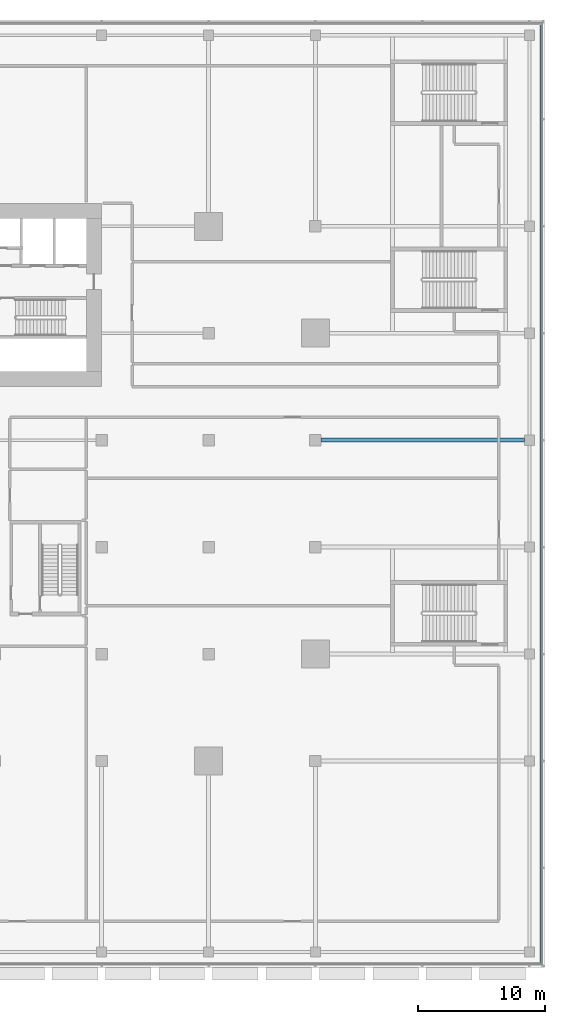
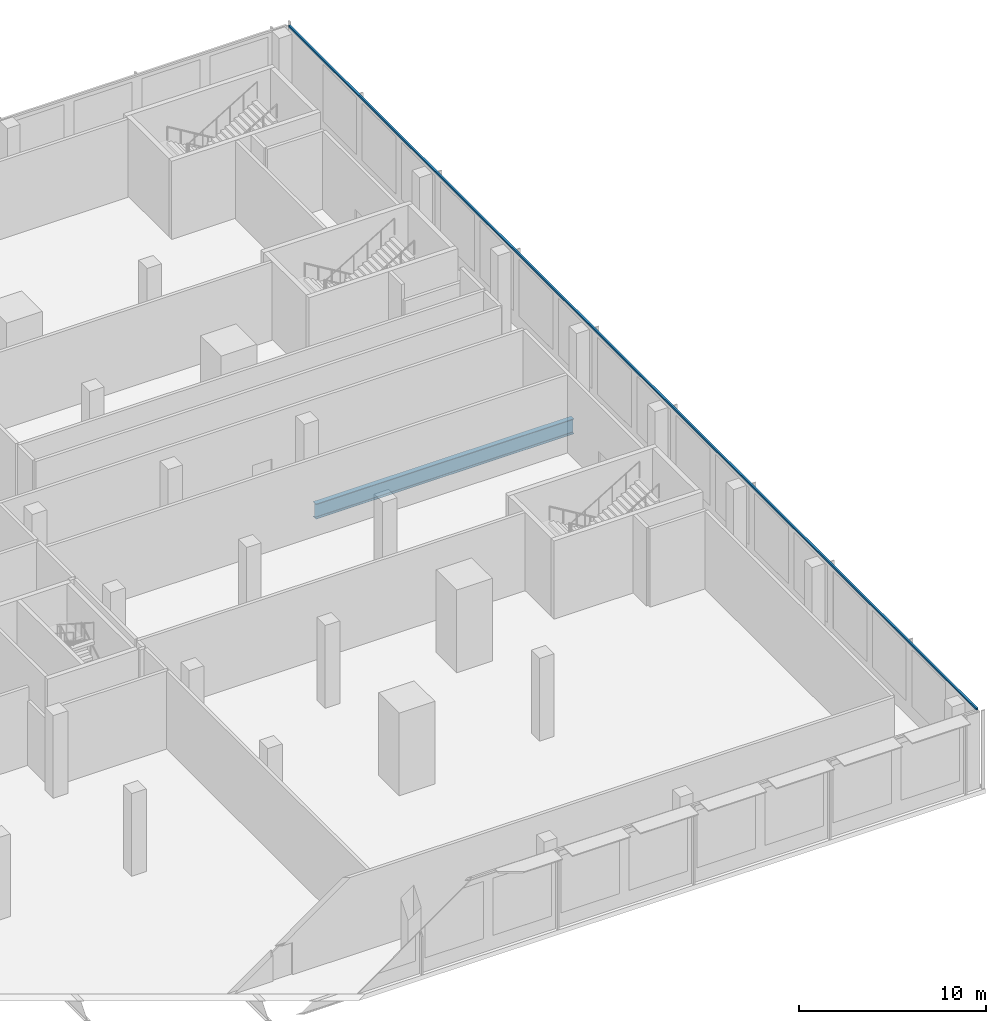
# One storey, part 15 of 39: 1 beam, 1 member, 1 element without a shape of its own.
"""IFC4 building model written with IfcOpenShell, lengths in metres."""

from ifc_helpers import new_model, si_unit, direction, frame, origin, origin_2d, place, context, subcontext, project, spatial, rectangle, i_section, extrude, material, material_profile, profile_set, type_object, element, aggregate, save


model = new_model("IFC4")

# Units and contexts
model_context = context("Model", 3, precision=1e-05, world=origin(), true_north=direction((0.0, 1.0)))
body_context = subcontext(model_context, "Body", "Model", "MODEL_VIEW")
ifc_project = project(units=[si_unit("LENGTHUNIT", "METRE"), si_unit("AREAUNIT", "SQUARE_METRE"), si_unit("VOLUMEUNIT", "CUBIC_METRE"), si_unit("PLANEANGLEUNIT", "RADIAN"), si_unit("MASSUNIT", "GRAM", prefix="KILO")], contexts=[model_context])

# Site, building, storey
site_placement = place(None, origin())
site = spatial("IfcSite", under=ifc_project, at=site_placement, CompositionType="ELEMENT")
building_placement = place(site_placement, origin())
building = spatial("IfcBuilding", under=site, at=building_placement, Name="Saffron Gate Tower", CompositionType="ELEMENT")
storey_placement = place(building_placement, frame((0.0, 0.0, 9.0)))
storey = spatial("IfcBuildingStorey", under=building, at=storey_placement, Name="L01", CompositionType="ELEMENT", Elevation=9.0)

# Beam
ifc_material_1 = material(Name="Structural steel S355", Category="steel")
ifc_material_profile_1 = material_profile(ifc_material_1, i_section(OverallWidth=0.300048828125, OverallDepth=0.989990234375, WebThickness=0.0166015625, FlangeThickness=0.031005859375, FilletRadius=0.030029296875, at=origin_2d()))
ifc_profile_set_1 = profile_set([ifc_material_profile_1], Name="Structural steel S355")
beam_type = type_object("IfcBeamType", Name="B21 HEA 1000", PredefinedType="BEAM", material=ifc_profile_set_1)
beam_placement = place(storey_placement, frame((141.800048828125, 57.0, -0.794921875), z_axis=(-1.0, 0.0, 0.0), x_axis=(0.0, -1.0, 0.0)))
element("IfcBeam", 1, at=beam_placement, inside=storey, type_object=beam_type, Name="B21 PODIUM RING GIRDER", PredefinedType="BEAM", context=body_context, shape_type="SweptSolid", body=[
    extrude(i_section(OverallWidth=0.300048828125, OverallDepth=0.989990234375, WebThickness=0.0166015625, FlangeThickness=0.031005859375, FilletRadius=0.030029296875, at=origin_2d()), origin(), (0.0, 0.0, 1.0), 15.949951171875),
])

# Curtain wall, member
ifc_material_2 = material(Name="Aluminium, bronze anodised", Category="aluminium")
curtain_wall_type = type_object("IfcCurtainWallType", Name="CWS5 curtain wall podium ring base", PredefinedType="NOTDEFINED", material=ifc_material_2)
curtain_wall_placement = place(storey_placement, origin())
curtain_wall = element("IfcCurtainWall", 2, at=curtain_wall_placement, inside=storey, type_object=curtain_wall_type, Name="CWS5 run 2", PredefinedType="NOTDEFINED")
ifc_material_profile_2 = material_profile(ifc_material_2, rectangle(XDim=0.1201171875, YDim=0.1201171875, at=origin_2d()))
ifc_profile_set_2 = profile_set([ifc_material_profile_2], Name="Aluminium, bronze anodised")
member_type = type_object("IfcMemberType", Name="CWS5 head transom", PredefinedType="USERDEFINED", material=ifc_profile_set_2)
member_placement = place(storey_placement, frame((143.112060546875, 16.008056640625, 5.0400390625), z_axis=(0.0, 1.0, 0.0), x_axis=(-1.0, 0.0, 0.0)))
member = element("IfcMember", 3, at=member_placement, type_object=member_type, Name="CWS5 head transom", ObjectType="TRANSOM", PredefinedType="USERDEFINED", context=body_context, shape_type="SweptSolid", body=[
    extrude(rectangle(XDim=0.1201171875, YDim=0.1201171875, at=origin_2d()), origin(), (0.0, 0.0, 1.0), 73.583984375),
])
aggregate(curtain_wall, [member])

save(model, "model.ifc")
